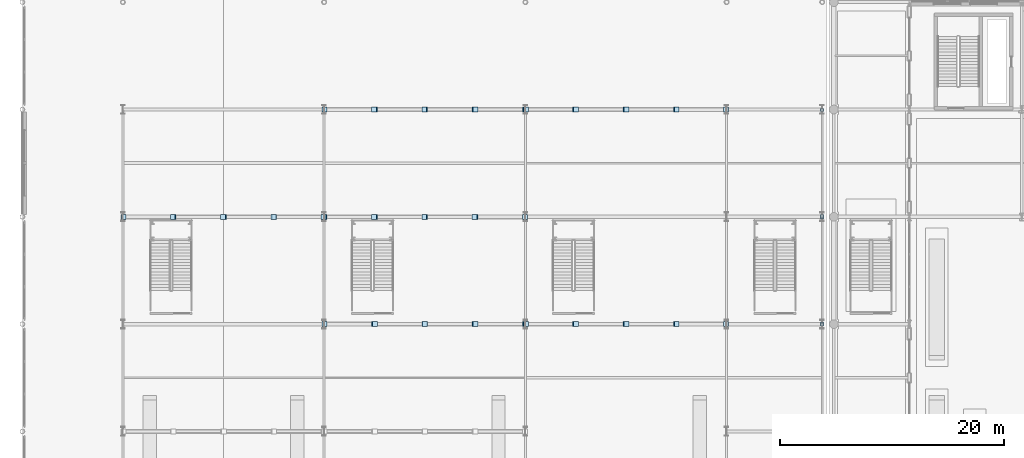
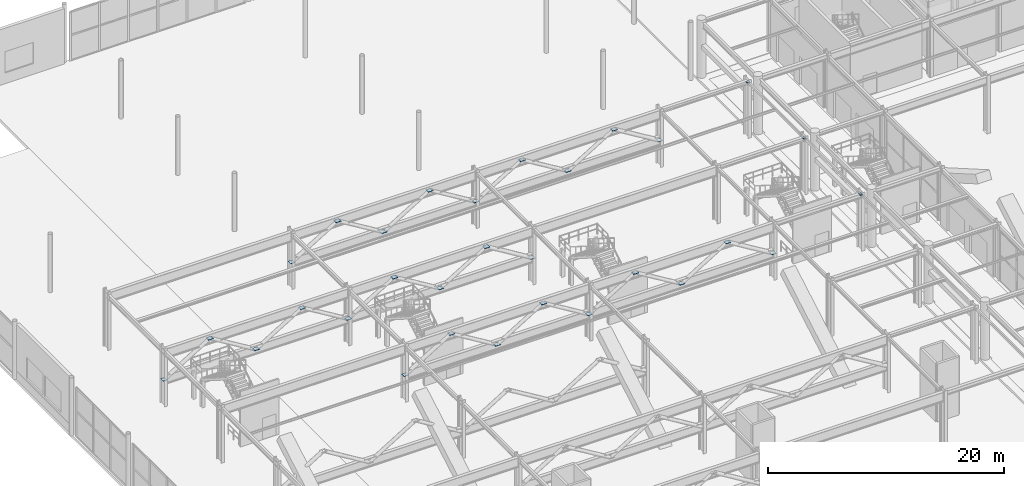
# One storey, part 54 of 113: 53 plates.
"""IFC4 building model written with IfcOpenShell, lengths in metres."""

from ifc_helpers import new_model, si_unit, direction, frame, origin, origin_2d, place, context, subcontext, project, spatial, rectangle, extrude, material, layer, layer_set, type_object, element, save


model = new_model("IFC4")

# Units and contexts
model_context = context("Model", 3, precision=1e-05, world=origin(), true_north=direction((0.0, 1.0)))
body_context = subcontext(model_context, "Body", "Model", "MODEL_VIEW")
ifc_project = project(units=[si_unit("LENGTHUNIT", "METRE"), si_unit("AREAUNIT", "SQUARE_METRE"), si_unit("VOLUMEUNIT", "CUBIC_METRE"), si_unit("PLANEANGLEUNIT", "RADIAN"), si_unit("MASSUNIT", "GRAM", prefix="KILO")], contexts=[model_context])

# Site, building, storey
site_placement = place(None, origin())
site = spatial("IfcSite", under=ifc_project, at=site_placement, CompositionType="ELEMENT")
building_placement = place(site_placement, origin())
building = spatial("IfcBuilding", under=site, at=building_placement, Name="Myrtia Square Station", CompositionType="ELEMENT")
storey_placement = place(building_placement, origin())
storey = spatial("IfcBuildingStorey", under=building, at=storey_placement, Name="L00", CompositionType="ELEMENT", Elevation=0.0)

# Plates
ifc_material = material(Name="Steel S355", Category="steel")
ifc_layer_1 = layer(ifc_material, 0.01611328125, Name="Steel S355")
ifc_layer_set_1 = layer_set([ifc_layer_1], Name="Steel S355")
plate_type_1 = type_object("IfcPlateType", Name="PLT-GUS16", PredefinedType="USERDEFINED", material=ifc_layer_set_1)
for number, where, z_axis, x_axis, name in (
    (1, (71.550048828125, 67.14990234375, 5.60693359375), (0.0, 0.0, 1.0), (0.0, 1.0, 0.0), "Truss node gusset plate SPNY-L00-0073-2"),
    (2, (71.550048828125, 67.25, 5.60693359375), (0.0, 0.0, 1.0), (0.0, 1.0, 0.0), "Truss node gusset plate SPNY-L00-0074-1"),
    (3, (71.550048828125, 76.75, 5.60693359375), (0.0, 0.0, 1.0), (0.0, 1.0, 0.0), "Truss node gusset plate SPNY-L00-0074-2"),
    (4, (71.550048828125, 76.85009765625, 5.60693359375), (0.0, 0.0, 1.0), (0.0, 1.0, 0.0), "Truss node gusset plate SPNY-L00-0075-1"),
    (5, (71.550048828125, 86.35009765625, 5.60693359375), (0.0, 0.0, 1.0), (0.0, 1.0, 0.0), "Truss node gusset plate SPNY-L00-0075-2"),
):
    element("IfcPlate", number, at=place(storey_placement, frame(where, z_axis=z_axis, x_axis=x_axis)), inside=storey, type_object=plate_type_1, Name=name, ObjectType="GUSSET PLATE", PredefinedType="USERDEFINED", context=body_context, shape_type="SweptSolid", body=[
        extrude(rectangle(XDim=0.280029296875, YDim=0.280029296875, at=origin_2d()), origin(), (0.0, 0.0, 1.0), 0.01611328125),
    ])
ifc_layer_2 = layer(ifc_material, 0.030029296875, Name="Steel S355")
ifc_layer_set_2 = layer_set([ifc_layer_2], Name="Steel S355")
plate_type_2 = type_object("IfcPlateType", Name="PLT-GUS30", PredefinedType="USERDEFINED", material=ifc_layer_set_2)
for number, where, z_axis, x_axis, name in (
    (6, (27.0400390625, 67.199951171875, 2.53515625), (0.0, 0.0, 1.0), (1.0, 0.0, 0.0), "Truss node gusset plate OTR-04-D01-1"),
    (7, (31.4599609375, 67.199951171875, 5.22509765625), (0.0, 0.0, 1.0), (1.0, 0.0, 0.0), "Truss node gusset plate OTR-04-D01-2"),
    (8, (31.5400390625, 67.199951171875, 5.22509765625), (0.0, 0.0, 1.0), (1.0, 0.0, 0.0), "Truss node gusset plate OTR-04-D02-1"),
    (9, (35.9599609375, 67.199951171875, 2.53515625), (0.0, 0.0, 1.0), (1.0, 0.0, 0.0), "Truss node gusset plate OTR-04-D02-2"),
    (10, (36.0400390625, 67.199951171875, 2.53515625), (0.0, 0.0, 1.0), (1.0, 0.0, 0.0), "Truss node gusset plate OTR-04-D03-1"),
    (11, (40.4599609375, 67.199951171875, 5.22509765625), (0.0, 0.0, 1.0), (1.0, 0.0, 0.0), "Truss node gusset plate OTR-04-D03-2"),
    (12, (40.5400390625, 67.199951171875, 5.22509765625), (0.0, 0.0, 1.0), (1.0, 0.0, 0.0), "Truss node gusset plate OTR-04-D04-1"),
    (13, (44.9599609375, 67.199951171875, 2.53515625), (0.0, 0.0, 1.0), (1.0, 0.0, 0.0), "Truss node gusset plate OTR-04-D04-2"),
    (14, (45.0400390625, 67.199951171875, 2.53515625), (0.0, 0.0, 1.0), (1.0, 0.0, 0.0), "Truss node gusset plate OTR-04-D05-1"),
    (15, (49.4599609375, 67.199951171875, 5.22509765625), (0.0, 0.0, 1.0), (1.0, 0.0, 0.0), "Truss node gusset plate OTR-04-D05-2"),
    (16, (49.5400390625, 67.199951171875, 5.22509765625), (0.0, 0.0, 1.0), (1.0, 0.0, 0.0), "Truss node gusset plate OTR-04-D06-1"),
    (17, (53.9599609375, 67.199951171875, 2.53515625), (0.0, 0.0, 1.0), (1.0, 0.0, 0.0), "Truss node gusset plate OTR-04-D06-2"),
    (18, (54.0400390625, 67.199951171875, 2.53515625), (0.0, 0.0, 1.0), (1.0, 0.0, 0.0), "Truss node gusset plate OTR-04-D07-1"),
    (19, (58.4599609375, 67.199951171875, 5.22509765625), (0.0, 0.0, 1.0), (1.0, 0.0, 0.0), "Truss node gusset plate OTR-04-D07-2"),
    (20, (58.5400390625, 67.199951171875, 5.22509765625), (0.0, 0.0, 1.0), (1.0, 0.0, 0.0), "Truss node gusset plate OTR-04-D08-1"),
    (21, (62.9599609375, 67.199951171875, 2.53515625), (0.0, 0.0, 1.0), (1.0, 0.0, 0.0), "Truss node gusset plate OTR-04-D08-2"),
    (22, (9.0400390625, 76.800048828125, 2.53515625), (0.0, 0.0, 1.0), (1.0, 0.0, 0.0), "Truss node gusset plate OTR-05-D01-1"),
    (23, (13.4599609375, 76.800048828125, 5.22509765625), (0.0, 0.0, 1.0), (1.0, 0.0, 0.0), "Truss node gusset plate OTR-05-D01-2"),
    (24, (13.5400390625, 76.800048828125, 5.22509765625), (0.0, 0.0, 1.0), (1.0, 0.0, 0.0), "Truss node gusset plate OTR-05-D02-1"),
    (25, (17.9599609375, 76.800048828125, 2.53515625), (0.0, 0.0, 1.0), (1.0, 0.0, 0.0), "Truss node gusset plate OTR-05-D02-2"),
    (26, (18.0400390625, 76.800048828125, 2.53515625), (0.0, 0.0, 1.0), (1.0, 0.0, 0.0), "Truss node gusset plate OTR-05-D03-1"),
    (27, (22.4599609375, 76.800048828125, 5.22509765625), (0.0, 0.0, 1.0), (1.0, 0.0, 0.0), "Truss node gusset plate OTR-05-D03-2"),
    (28, (22.5400390625, 76.800048828125, 5.22509765625), (0.0, 0.0, 1.0), (1.0, 0.0, 0.0), "Truss node gusset plate OTR-05-D04-1"),
    (29, (26.9599609375, 76.800048828125, 2.53515625), (0.0, 0.0, 1.0), (1.0, 0.0, 0.0), "Truss node gusset plate OTR-05-D04-2"),
    (30, (27.0400390625, 76.800048828125, 2.53515625), (0.0, 0.0, 1.0), (1.0, 0.0, 0.0), "Truss node gusset plate OTR-05-D05-1"),
    (31, (31.4599609375, 76.800048828125, 5.22509765625), (0.0, 0.0, 1.0), (1.0, 0.0, 0.0), "Truss node gusset plate OTR-05-D05-2"),
    (32, (31.5400390625, 76.800048828125, 5.22509765625), (0.0, 0.0, 1.0), (1.0, 0.0, 0.0), "Truss node gusset plate OTR-05-D06-1"),
    (33, (35.9599609375, 76.800048828125, 2.53515625), (0.0, 0.0, 1.0), (1.0, 0.0, 0.0), "Truss node gusset plate OTR-05-D06-2"),
    (34, (36.0400390625, 76.800048828125, 2.53515625), (0.0, 0.0, 1.0), (1.0, 0.0, 0.0), "Truss node gusset plate OTR-05-D07-1"),
    (35, (40.4599609375, 76.800048828125, 5.22509765625), (0.0, 0.0, 1.0), (1.0, 0.0, 0.0), "Truss node gusset plate OTR-05-D07-2"),
    (36, (40.5400390625, 76.800048828125, 5.22509765625), (0.0, 0.0, 1.0), (1.0, 0.0, 0.0), "Truss node gusset plate OTR-05-D08-1"),
    (37, (44.9599609375, 76.800048828125, 2.53515625), (0.0, 0.0, 1.0), (1.0, 0.0, 0.0), "Truss node gusset plate OTR-05-D08-2"),
    (38, (27.0400390625, 86.39990234375, 2.53515625), (0.0, 0.0, 1.0), (1.0, 0.0, 0.0), "Truss node gusset plate OTR-06-D01-1"),
    (39, (31.4599609375, 86.39990234375, 5.22509765625), (0.0, 0.0, 1.0), (1.0, 0.0, 0.0), "Truss node gusset plate OTR-06-D01-2"),
    (40, (31.5400390625, 86.39990234375, 5.22509765625), (0.0, 0.0, 1.0), (1.0, 0.0, 0.0), "Truss node gusset plate OTR-06-D02-1"),
    (41, (35.9599609375, 86.39990234375, 2.53515625), (0.0, 0.0, 1.0), (1.0, 0.0, 0.0), "Truss node gusset plate OTR-06-D02-2"),
    (42, (36.0400390625, 86.39990234375, 2.53515625), (0.0, 0.0, 1.0), (1.0, 0.0, 0.0), "Truss node gusset plate OTR-06-D03-1"),
    (43, (40.4599609375, 86.39990234375, 5.22509765625), (0.0, 0.0, 1.0), (1.0, 0.0, 0.0), "Truss node gusset plate OTR-06-D03-2"),
    (44, (40.5400390625, 86.39990234375, 5.22509765625), (0.0, 0.0, 1.0), (1.0, 0.0, 0.0), "Truss node gusset plate OTR-06-D04-1"),
    (45, (44.9599609375, 86.39990234375, 2.53515625), (0.0, 0.0, 1.0), (1.0, 0.0, 0.0), "Truss node gusset plate OTR-06-D04-2"),
    (46, (45.0400390625, 86.39990234375, 2.53515625), (0.0, 0.0, 1.0), (1.0, 0.0, 0.0), "Truss node gusset plate OTR-06-D05-1"),
    (47, (49.4599609375, 86.39990234375, 5.22509765625), (0.0, 0.0, 1.0), (1.0, 0.0, 0.0), "Truss node gusset plate OTR-06-D05-2"),
    (48, (49.5400390625, 86.39990234375, 5.22509765625), (0.0, 0.0, 1.0), (1.0, 0.0, 0.0), "Truss node gusset plate OTR-06-D06-1"),
    (49, (53.9599609375, 86.39990234375, 2.53515625), (0.0, 0.0, 1.0), (1.0, 0.0, 0.0), "Truss node gusset plate OTR-06-D06-2"),
    (50, (54.0400390625, 86.39990234375, 2.53515625), (0.0, 0.0, 1.0), (1.0, 0.0, 0.0), "Truss node gusset plate OTR-06-D07-1"),
    (51, (58.4599609375, 86.39990234375, 5.22509765625), (0.0, 0.0, 1.0), (1.0, 0.0, 0.0), "Truss node gusset plate OTR-06-D07-2"),
    (52, (58.5400390625, 86.39990234375, 5.22509765625), (0.0, 0.0, 1.0), (1.0, 0.0, 0.0), "Truss node gusset plate OTR-06-D08-1"),
    (53, (62.9599609375, 86.39990234375, 2.53515625), (0.0, 0.0, 1.0), (1.0, 0.0, 0.0), "Truss node gusset plate OTR-06-D08-2"),
):
    element("IfcPlate", number, at=place(storey_placement, frame(where, z_axis=z_axis, x_axis=x_axis)), inside=storey, type_object=plate_type_2, Name=name, ObjectType="GUSSET PLATE", PredefinedType="USERDEFINED", context=body_context, shape_type="SweptSolid", body=[
        extrude(rectangle(XDim=0.43994140625, YDim=0.43994140625, at=origin_2d()), origin(), (0.0, 0.0, 1.0), 0.030029296875),
    ])

save(model, "model.ifc")
